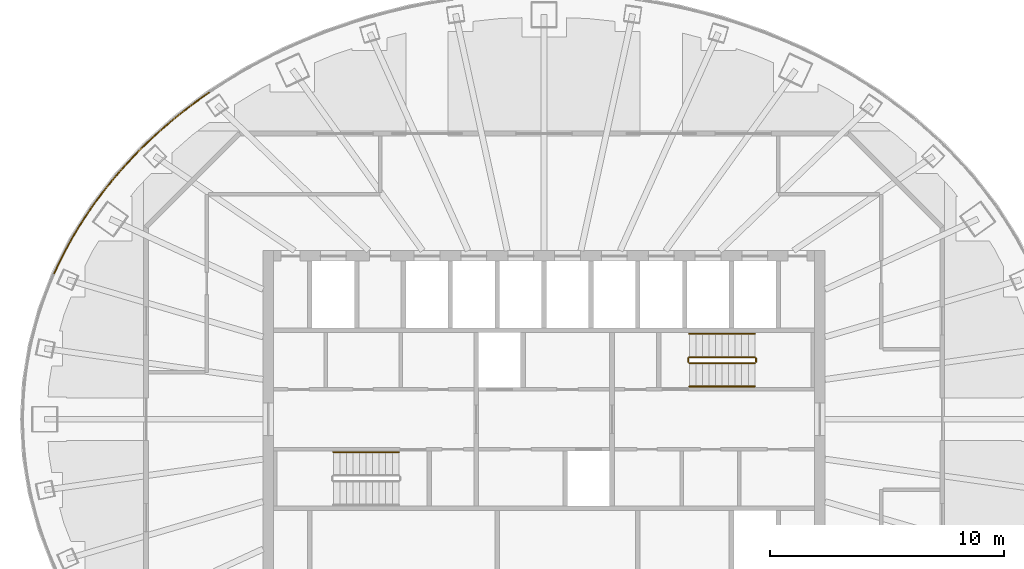
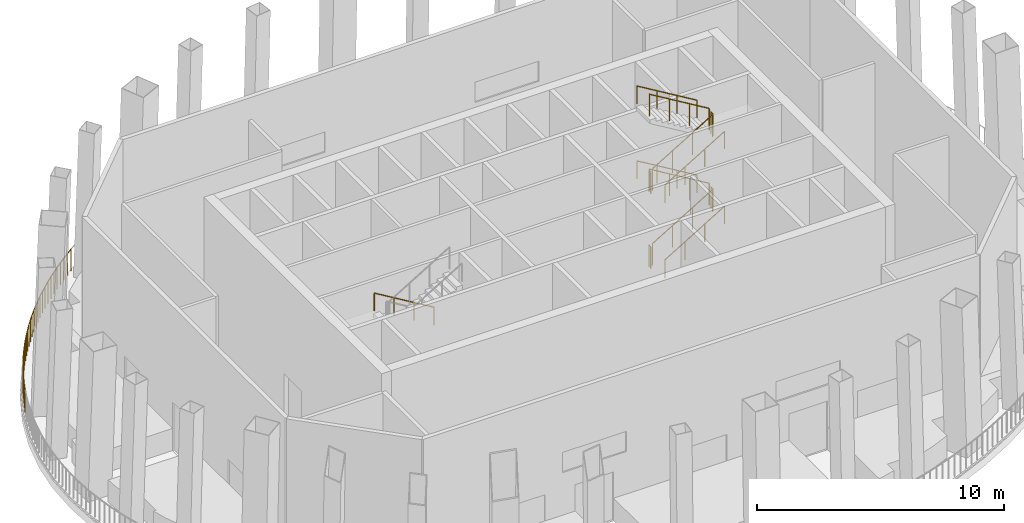
# One storey, part 9 of 12: 16 railings.
"""IFC4 building model written with IfcOpenShell, lengths in metres."""

import ifcopenshell
import ifcopenshell.guid

model = None  # the IFC model being written
_history = None  # IfcOwnerHistory: only IFC2X3 demands one
_inside = {}  # id of a spatial element -> (the spatial element, [elements in it])
_under = {}  # id of a project, library or spatial element -> (it, [spatial elements below it])
_declared = {}  # id of a project -> (the project, [libraries it declares])
_typed = {}  # id of a type object -> (the type object, [elements of that type])
_made_of = {}  # id of a material, layer set ... -> (it, [elements and type objects made of it])


def new_model(schema):
    """Start an empty IFC model of exactly this schema.

    Asked for "IFC4X3", IfcOpenShell would pick the latest addendum, in which some entities
    have other attributes; the version numbers below select the first issue.
    IFC2X3 requires an IfcOwnerHistory on every rooted entity: one is made here for all.
    """
    global model, _history
    if schema == "IFC4X3":
        model = ifcopenshell.file(schema_version=(4, 3, 0, 0))
    else:
        model = ifcopenshell.file(schema=schema)
    _inside.clear()
    _under.clear()
    _declared.clear()
    _typed.clear()
    _made_of.clear()
    _history = None
    if model.schema == "IFC2X3":
        org = make("IfcOrganization", Name="unknown")
        user = make(
            "IfcPersonAndOrganization",
            ThePerson=make("IfcPerson", FamilyName="unknown"),
            TheOrganization=org,
        )
        app = make(
            "IfcApplication",
            ApplicationDeveloper=org,
            Version="unknown",
            ApplicationFullName="unknown",
            ApplicationIdentifier="unknown",
        )
        _history = make(
            "IfcOwnerHistory",
            OwningUser=user,
            OwningApplication=app,
            ChangeAction="ADDED",
            CreationDate=0,
        )
    return model


def make(cls, **values):
    """One entity of the class cls with the attributes given. An attribute that is None is left unset."""
    return model.create_entity(
        cls, **{name: value for name, value in values.items() if value is not None}
    )


def rooted(cls, **values):
    """An entity with a GlobalId (a new one), such as an element, a storey or a relation."""
    return make(cls, GlobalId=ifcopenshell.guid.new(), OwnerHistory=_history, **values)


def si_unit(unit_type, name, prefix=None):
    """IfcSIUnit, for example si_unit("LENGTHUNIT", "METRE", prefix="MILLI")."""
    return make("IfcSIUnit", UnitType=unit_type, Prefix=prefix, Name=name)


def assignment(units):
    """IfcUnitAssignment: the units of a project."""
    return None if units is None else make("IfcUnitAssignment", Units=units)


def point(xyz):
    """IfcCartesianPoint."""
    return None if xyz is None else make("IfcCartesianPoint", Coordinates=xyz)


def direction(xyz):
    """IfcDirection."""
    return None if xyz is None else make("IfcDirection", DirectionRatios=xyz)


def frame(location, z_axis=None, x_axis=None):
    """IfcAxis2Placement3D, a coordinate frame: its origin and axes. An axis left out is left unset."""
    return make(
        "IfcAxis2Placement3D",
        Location=point(location),
        Axis=direction(z_axis),
        RefDirection=direction(x_axis),
    )


def frame_2d(location, x_axis=None):
    """IfcAxis2Placement2D, a coordinate frame in the plane: its origin and x axis."""
    return make(
        "IfcAxis2Placement2D", Location=point(location), RefDirection=direction(x_axis)
    )


def origin():
    """The frame at (0, 0, 0) with its axes left unset."""
    return frame((0.0, 0.0, 0.0))


def origin_2d():
    """The frame at (0, 0) in the plane with its x axis left unset."""
    return frame_2d((0.0, 0.0))


def place(relative_to, where):
    """IfcLocalPlacement: puts the frame where relative to a parent placement (None: the world)."""
    return make(
        "IfcLocalPlacement", PlacementRelTo=relative_to, RelativePlacement=where
    )


def context(
    kind, dimensions, precision=None, world=None, true_north=None, identifier=None
):
    """IfcGeometricRepresentationContext, for example the 3D "Model" context."""
    return make(
        "IfcGeometricRepresentationContext",
        ContextIdentifier=identifier,
        ContextType=kind,
        CoordinateSpaceDimension=dimensions,
        Precision=precision,
        WorldCoordinateSystem=world,
        TrueNorth=true_north,
    )


def subcontext(parent, identifier, kind, view, scale=None):
    """IfcGeometricRepresentationSubContext, for example "Body" below "Model"."""
    return make(
        "IfcGeometricRepresentationSubContext",
        ContextIdentifier=identifier,
        ContextType=kind,
        ParentContext=parent,
        TargetScale=scale,
        TargetView=view,
    )


def project(units=None, contexts=None):
    """IfcProject with its units and contexts."""
    return rooted(
        "IfcProject",
        Name="project",
        RepresentationContexts=contexts,
        UnitsInContext=assignment(units),
    )


def spatial(cls, under=None, at=None, **own):
    """A site, building, storey or space (cls), placed at a placement, below another one or the project."""
    s = rooted(cls, ObjectPlacement=at, **own)
    if under is not None:
        _under.setdefault(under.id(), (under, []))[1].append(s)
    return s


def profile(cls, at=None, kind="AREA", **sizes):
    """A parametric profile (cls). Its sizes go by their IFC names, for example OverallWidth=200.0."""
    return make(cls, ProfileType=kind, Position=at, **sizes)


def circle(**sizes):
    """IfcCircleProfileDef."""
    return profile("IfcCircleProfileDef", **sizes)


def extrude(swept, where, along, depth):
    """IfcExtrudedAreaSolid: the profile swept, set in the frame where, extruded along a direction by depth."""
    return make(
        "IfcExtrudedAreaSolid",
        SweptArea=swept,
        Position=where,
        ExtrudedDirection=direction(along),
        Depth=depth,
    )


def shape(context_of_items, identifier, shape_type, items):
    """IfcShapeRepresentation: the items that make up one representation, for example the "Body"."""
    return make(
        "IfcShapeRepresentation",
        ContextOfItems=context_of_items,
        RepresentationIdentifier=identifier,
        RepresentationType=shape_type,
        Items=items,
    )


def material(Name=None, Category=None):
    """IfcMaterial."""
    return make("IfcMaterial", Name=Name, Category=Category)


def made_of(thing, what):
    """Note that an element or type object is made of a material, layer set ...; save() writes the relation."""
    if what is not None:
        _made_of.setdefault(what.id(), (what, []))[1].append(thing)
    return thing


def type_object(cls, material=None, **own):
    """A type object (cls), such as IfcWallType, which elements share."""
    return made_of(rooted(cls, **own), material)


def element(
    cls,
    number,
    at=None,
    inside=None,
    cuts=None,
    type_object=None,
    material=None,
    context=None,
    identifier="Body",
    shape_type=None,
    held_by="IfcProductDefinitionShape",
    body=None,
    shapes=None,
    **own,
):
    """One element of the class cls, such as IfcWall. Its Tag is "e" and its number.

    at: its placement. inside: the storey or other place that contains it. cuts: it is an
    opening in that element (IfcRelVoidsElement). A single representation is given by context,
    identifier, shape_type and body (its items); several are given by shapes. held_by: the class
    of the entity that holds the representations. save() writes the other relations.
    """
    e = rooted(cls, Tag="e%d" % number, ObjectPlacement=at, **own)
    if body is not None:
        shapes = [shape(context, identifier, shape_type, body)]
    if shapes is not None:
        e.Representation = make(held_by, Representations=shapes)
    if inside is not None:
        _inside.setdefault(inside.id(), (inside, []))[1].append(e)
    if cuts is not None:
        rooted(
            "IfcRelVoidsElement", RelatingBuildingElement=cuts, RelatedOpeningElement=e
        )
    if type_object is not None:
        _typed.setdefault(type_object.id(), (type_object, []))[1].append(e)
    return made_of(e, material)


def aggregate(whole, parts):
    """IfcRelAggregates: a whole, such as a stair, and the parts it consists of."""
    return rooted("IfcRelAggregates", RelatingObject=whole, RelatedObjects=parts)


def save(model, path):
    """Write the relations noted so far, then the file.

    IfcRelAggregates (storeys below a building ...), IfcRelContainedInSpatialStructure (elements
    in a storey), IfcRelDefinesByType, IfcRelAssociatesMaterial and IfcRelDeclares: one each for
    every whole, place, type object, material and project.
    """
    for whole, parts in _under.values():
        aggregate(whole, parts)
    for where, things in _inside.values():
        rooted(
            "IfcRelContainedInSpatialStructure",
            RelatedElements=things,
            RelatingStructure=where,
        )
    for kind, things in _typed.values():
        rooted("IfcRelDefinesByType", RelatedObjects=things, RelatingType=kind)
    for what, things in _made_of.values():
        rooted("IfcRelAssociatesMaterial", RelatedObjects=things, RelatingMaterial=what)
    for by, libraries in _declared.values():
        rooted("IfcRelDeclares", RelatingContext=by, RelatedDefinitions=libraries)
    model.write(path)


model = new_model("IFC4")

# Units and contexts
model_context = context("Model", 3, precision=1e-05, world=origin(), true_north=direction((0.0, 1.0)))
body_context = subcontext(model_context, "Body", "Model", "MODEL_VIEW")
ifc_project = project(units=[si_unit("LENGTHUNIT", "METRE"), si_unit("AREAUNIT", "SQUARE_METRE"), si_unit("VOLUMEUNIT", "CUBIC_METRE"), si_unit("PLANEANGLEUNIT", "RADIAN"), si_unit("MASSUNIT", "GRAM", prefix="KILO")], contexts=[model_context])

# Site, building, storey
site_placement = place(None, origin())
site = spatial("IfcSite", under=ifc_project, at=site_placement, CompositionType="ELEMENT")
building_placement = place(site_placement, origin())
building = spatial("IfcBuilding", under=site, at=building_placement, Name="Siaravel Broadcast Tower", CompositionType="ELEMENT")
storey_placement = place(building_placement, frame((0.0, 0.0, 205.199951171875)))
storey = spatial("IfcBuildingStorey", under=building, at=storey_placement, Name="L50", CompositionType="ELEMENT", Elevation=205.199951171875)

# Railings
ifc_material_1 = material(Name="Steel S355", Category="steel")
railing_type_1 = type_object("IfcRailingType", Name="Guard 1100", PredefinedType="GUARDRAIL", material=ifc_material_1)
railing_1_placement = place(storey_placement, frame((-14.305908203125, 13.948486328125, 0.080078125)))
element("IfcRailing", 1, at=railing_1_placement, inside=storey, type_object=railing_type_1, Name="L50 sky garden guard 14", PredefinedType="GUARDRAIL", context=body_context, shape_type="SweptSolid", body=[
    extrude(circle(Radius=0.02392578125, at=origin_2d()), frame((0.0, 0.0, 1.076171875), z_axis=(-0.819868065, -0.572552492, 0.0), x_axis=(0.572552492, -0.819868065, 0.0)), (0.0, 0.0, 1.0), 0.3603515625),
    extrude(circle(Radius=0.02392578125, at=origin_2d()), frame((-0.29541015625, -0.206298828125, 1.076171875), z_axis=(-0.809763888, -0.586755865, 0.0), x_axis=(0.586755865, -0.809763888, 0.0)), (0.0, 0.0, 1.0), 0.359130859375),
    extrude(circle(Radius=0.02392578125, at=origin_2d()), frame((-0.586181640625, -0.4169921875, 1.076171875), z_axis=(-0.800490663, -0.599345224, 0.0), x_axis=(0.599345224, -0.800490663, 0.0)), (0.0, 0.0, 1.0), 0.358154296875),
    extrude(circle(Radius=0.02392578125, at=origin_2d()), frame((-0.872802734375, -0.631591796875, 1.076171875), z_axis=(-0.789867917, -0.613276996, 0.0), x_axis=(0.613276996, -0.789867917, 0.0)), (0.0, 0.0, 1.0), 0.356689453125),
    extrude(circle(Radius=0.02392578125, at=origin_2d()), frame((-1.154541015625, -0.850341796875, 1.076171875), z_axis=(-0.779257223, -0.626704221, 0.0), x_axis=(0.626704221, -0.779257223, 0.0)), (0.0, 0.0, 1.0), 0.355224609375),
    extrude(circle(Radius=0.02392578125, at=origin_2d()), frame((-1.431396484375, -1.072998046875, 1.076171875), z_axis=(-0.768559864, -0.63977788, 0.0), x_axis=(0.63977788, -0.768559864, 0.0)), (0.0, 0.0, 1.0), 0.3544921875),
    extrude(circle(Radius=0.02392578125, at=origin_2d()), frame((-1.703857421875, -1.2998046875, 1.076171875), z_axis=(-0.757398166, -0.652953305, 0.0), x_axis=(0.652953305, -0.757398166, 0.0)), (0.0, 0.0, 1.0), 0.35302734375),
    extrude(circle(Radius=0.02392578125, at=origin_2d()), frame((-1.97119140625, -1.5302734375, 1.076171875), z_axis=(-0.745876104, -0.666084707, 0.0), x_axis=(0.666084707, -0.745876104, 0.0)), (0.0, 0.0, 1.0), 0.351806640625),
    extrude(circle(Radius=0.02392578125, at=origin_2d()), frame((-2.233642578125, -1.7646484375, 1.076171875), z_axis=(-0.73408208, -0.679060748, 0.0), x_axis=(0.679060748, -0.73408208, 0.0)), (0.0, 0.0, 1.0), 0.3505859375),
    extrude(circle(Radius=0.02392578125, at=origin_2d()), frame((-2.490966796875, -2.002685546875, 1.076171875), z_axis=(-0.722657035, -0.691206778, 0.0), x_axis=(0.691206778, -0.722657035, 0.0)), (0.0, 0.0, 1.0), 0.349365234375),
    extrude(circle(Radius=0.02099609375, at=origin_2d()), origin(), (0.0, 0.0, 1.0), 1.052001953125),
    extrude(circle(Radius=0.02099609375, at=origin_2d()), frame((-0.29541015625, -0.206298828125, 0.0)), (0.0, 0.0, 1.0), 1.052001953125),
    extrude(circle(Radius=0.02099609375, at=origin_2d()), frame((-0.586181640625, -0.4169921875, 0.0)), (0.0, 0.0, 1.0), 1.052001953125),
    extrude(circle(Radius=0.02099609375, at=origin_2d()), frame((-0.872802734375, -0.631591796875, 0.0)), (0.0, 0.0, 1.0), 1.052001953125),
    extrude(circle(Radius=0.02099609375, at=origin_2d()), frame((-1.154541015625, -0.850341796875, 0.0)), (0.0, 0.0, 1.0), 1.052001953125),
    extrude(circle(Radius=0.02099609375, at=origin_2d()), frame((-1.431396484375, -1.072998046875, 0.0)), (0.0, 0.0, 1.0), 1.052001953125),
    extrude(circle(Radius=0.02099609375, at=origin_2d()), frame((-1.703857421875, -1.2998046875, 0.0)), (0.0, 0.0, 1.0), 1.052001953125),
    extrude(circle(Radius=0.02099609375, at=origin_2d()), frame((-1.97119140625, -1.5302734375, 0.0)), (0.0, 0.0, 1.0), 1.052001953125),
    extrude(circle(Radius=0.02099609375, at=origin_2d()), frame((-2.233642578125, -1.7646484375, 0.0)), (0.0, 0.0, 1.0), 1.052001953125),
    extrude(circle(Radius=0.02099609375, at=origin_2d()), frame((-2.490966796875, -2.002685546875, 0.0)), (0.0, 0.0, 1.0), 1.052001953125),
    extrude(circle(Radius=0.02099609375, at=origin_2d()), frame((-2.743408203125, -2.244140625, 0.0)), (0.0, 0.0, 1.0), 1.052001953125),
])
railing_2_placement = place(storey_placement, frame((-17.04931640625, 11.704345703125, 0.080078125)))
element("IfcRailing", 2, at=railing_2_placement, inside=storey, type_object=railing_type_1, Name="L50 sky garden guard 15", PredefinedType="GUARDRAIL", context=body_context, shape_type="SweptSolid", body=[
    extrude(circle(Radius=0.02392578125, at=origin_2d()), frame((0.0, 0.0, 1.076171875), z_axis=(-0.709208125, -0.704999174, 0.0), x_axis=(0.704999174, -0.709208125, 0.0)), (0.0, 0.0, 1.0), 0.34814453125),
    extrude(circle(Radius=0.02392578125, at=origin_2d()), frame((-0.246826171875, -0.245361328125, 1.076171875), z_axis=(-0.697188894, -0.716887471, 0.0), x_axis=(0.716887471, -0.697188894, 0.0)), (0.0, 0.0, 1.0), 0.346923828125),
    extrude(circle(Radius=0.02392578125, at=origin_2d()), frame((-0.48876953125, -0.494140625, 1.076171875), z_axis=(-0.68412918, -0.729360861, 0.0), x_axis=(0.729360861, -0.68412918, 0.0)), (0.0, 0.0, 1.0), 0.345458984375),
    extrude(circle(Radius=0.02392578125, at=origin_2d()), frame((-0.72509765625, -0.74609375, 1.076171875), z_axis=(-0.67080203, -0.741636458, 0.0), x_axis=(0.741636458, -0.67080203, 0.0)), (0.0, 0.0, 1.0), 0.3447265625),
    extrude(circle(Radius=0.02392578125, at=origin_2d()), frame((-0.956298828125, -1.001708984375, 1.076171875), z_axis=(-0.65744612, -0.753501559, 0.0), x_axis=(0.753501559, -0.65744612, 0.0)), (0.0, 0.0, 1.0), 0.343017578125),
    extrude(circle(Radius=0.02392578125, at=origin_2d()), frame((-1.181884765625, -1.26025390625, 1.076171875), z_axis=(-0.643058171, -0.765817334, 0.0), x_axis=(0.765817334, -0.643058171, 0.0)), (0.0, 0.0, 1.0), 0.342041015625),
    extrude(circle(Radius=0.02392578125, at=origin_2d()), frame((-1.40185546875, -1.522216796875, 1.076171875), z_axis=(-0.628703723, -0.777644924, 0.0), x_axis=(0.777644924, -0.628703723, 0.0)), (0.0, 0.0, 1.0), 0.341064453125),
    extrude(circle(Radius=0.02392578125, at=origin_2d()), frame((-1.6162109375, -1.787353515625, 1.076171875), z_axis=(-0.614736721, -0.788732378, 0.0), x_axis=(0.788732378, -0.614736721, 0.0)), (0.0, 0.0, 1.0), 0.339599609375),
    extrude(circle(Radius=0.02392578125, at=origin_2d()), frame((-1.824951171875, -2.05517578125, 1.076171875), z_axis=(-0.599307435, -0.800518956, 0.0), x_axis=(0.800518956, -0.599307435, 0.0)), (0.0, 0.0, 1.0), 0.338623046875),
    extrude(circle(Radius=0.02392578125, at=origin_2d()), frame((-2.02783203125, -2.326171875, 1.076171875), z_axis=(-0.584380934, -0.811479466, 0.0), x_axis=(0.811479466, -0.584380934, 0.0)), (0.0, 0.0, 1.0), 0.337646484375),
    extrude(circle(Radius=0.02099609375, at=origin_2d()), origin(), (0.0, 0.0, 1.0), 1.052001953125),
    extrude(circle(Radius=0.02099609375, at=origin_2d()), frame((-0.246826171875, -0.245361328125, 0.0)), (0.0, 0.0, 1.0), 1.052001953125),
    extrude(circle(Radius=0.02099609375, at=origin_2d()), frame((-0.48876953125, -0.494140625, 0.0)), (0.0, 0.0, 1.0), 1.052001953125),
    extrude(circle(Radius=0.02099609375, at=origin_2d()), frame((-0.72509765625, -0.74609375, 0.0)), (0.0, 0.0, 1.0), 1.052001953125),
    extrude(circle(Radius=0.02099609375, at=origin_2d()), frame((-0.956298828125, -1.001708984375, 0.0)), (0.0, 0.0, 1.0), 1.052001953125),
    extrude(circle(Radius=0.02099609375, at=origin_2d()), frame((-1.181884765625, -1.26025390625, 0.0)), (0.0, 0.0, 1.0), 1.052001953125),
    extrude(circle(Radius=0.02099609375, at=origin_2d()), frame((-1.40185546875, -1.522216796875, 0.0)), (0.0, 0.0, 1.0), 1.052001953125),
    extrude(circle(Radius=0.02099609375, at=origin_2d()), frame((-1.6162109375, -1.787353515625, 0.0)), (0.0, 0.0, 1.0), 1.052001953125),
    extrude(circle(Radius=0.02099609375, at=origin_2d()), frame((-1.824951171875, -2.05517578125, 0.0)), (0.0, 0.0, 1.0), 1.052001953125),
    extrude(circle(Radius=0.02099609375, at=origin_2d()), frame((-2.02783203125, -2.326171875, 0.0)), (0.0, 0.0, 1.0), 1.052001953125),
    extrude(circle(Radius=0.02099609375, at=origin_2d()), frame((-2.22509765625, -2.60009765625, 0.0)), (0.0, 0.0, 1.0), 1.052001953125),
])
railing_3_placement = place(storey_placement, frame((-19.2744140625, 9.104248046875, 0.080078125)))
element("IfcRailing", 3, at=railing_3_placement, inside=storey, type_object=railing_type_1, Name="L50 sky garden guard 16", PredefinedType="GUARDRAIL", context=body_context, shape_type="SweptSolid", body=[
    extrude(circle(Radius=0.02392578125, at=origin_2d()), frame((0.0, 0.0, 1.076171875), z_axis=(-0.568530162, -0.822662418, 0.0), x_axis=(0.822662418, -0.568530162, 0.0)), (0.0, 0.0, 1.0), 0.336181640625),
    extrude(circle(Radius=0.02392578125, at=origin_2d()), frame((-0.191162109375, -0.276611328125, 1.076171875), z_axis=(-0.552849831, -0.833280904, 0.0), x_axis=(0.833280904, -0.552849831, 0.0)), (0.0, 0.0, 1.0), 0.335205078125),
    extrude(circle(Radius=0.02392578125, at=origin_2d()), frame((-0.37646484375, -0.555908203125, 1.076171875), z_axis=(-0.537206502, -0.843450754, 0.0), x_axis=(0.843450754, -0.537206502, 0.0)), (0.0, 0.0, 1.0), 0.333984375),
    extrude(circle(Radius=0.02392578125, at=origin_2d()), frame((-0.555908203125, -0.837646484375, 1.076171875), z_axis=(-0.52041193, -0.853915349, 0.0), x_axis=(0.853915349, -0.52041193, 0.0)), (0.0, 0.0, 1.0), 0.3330078125),
    extrude(circle(Radius=0.02392578125, at=origin_2d()), frame((-0.729248046875, -1.1220703125, 1.076171875), z_axis=(-0.503642434, -0.863912205, 0.0), x_axis=(0.863912205, -0.503642434, 0.0)), (0.0, 0.0, 1.0), 0.33203125),
    extrude(circle(Radius=0.02392578125, at=origin_2d()), frame((-0.896484375, -1.408935546875, 1.076171875), z_axis=(-0.486581595, -0.873635136, 0.0), x_axis=(0.873635136, -0.486581595, 0.0)), (0.0, 0.0, 1.0), 0.3310546875),
    extrude(circle(Radius=0.02392578125, at=origin_2d()), frame((-1.0576171875, -1.6982421875, 1.076171875), z_axis=(-0.469281499, -0.883048625, 0.0), x_axis=(0.883048625, -0.469281499, 0.0)), (0.0, 0.0, 1.0), 0.329833984375),
    extrude(circle(Radius=0.02392578125, at=origin_2d()), frame((-1.21240234375, -1.989501953125, 1.076171875), z_axis=(-0.451657892, -0.892191206, 0.0), x_axis=(0.892191206, -0.451657892, 0.0)), (0.0, 0.0, 1.0), 0.3291015625),
    extrude(circle(Radius=0.02392578125, at=origin_2d()), frame((-1.361083984375, -2.283203125, 1.076171875), z_axis=(-0.433770877, -0.901023211, 0.0), x_axis=(0.901023211, -0.433770877, 0.0)), (0.0, 0.0, 1.0), 0.328125),
    extrude(circle(Radius=0.02392578125, at=origin_2d()), frame((-1.50341796875, -2.578857421875, 1.076171875), z_axis=(-0.415601054, -0.90954701, 0.0), x_axis=(0.90954701, -0.415601054, 0.0)), (0.0, 0.0, 1.0), 0.3271484375),
    extrude(circle(Radius=0.02099609375, at=origin_2d()), origin(), (0.0, 0.0, 1.0), 1.052001953125),
    extrude(circle(Radius=0.02099609375, at=origin_2d()), frame((-0.191162109375, -0.276611328125, 0.0)), (0.0, 0.0, 1.0), 1.052001953125),
    extrude(circle(Radius=0.02099609375, at=origin_2d()), frame((-0.37646484375, -0.555908203125, 0.0)), (0.0, 0.0, 1.0), 1.052001953125),
    extrude(circle(Radius=0.02099609375, at=origin_2d()), frame((-0.555908203125, -0.837646484375, 0.0)), (0.0, 0.0, 1.0), 1.052001953125),
    extrude(circle(Radius=0.02099609375, at=origin_2d()), frame((-0.729248046875, -1.1220703125, 0.0)), (0.0, 0.0, 1.0), 1.052001953125),
    extrude(circle(Radius=0.02099609375, at=origin_2d()), frame((-0.896484375, -1.408935546875, 0.0)), (0.0, 0.0, 1.0), 1.052001953125),
    extrude(circle(Radius=0.02099609375, at=origin_2d()), frame((-1.0576171875, -1.6982421875, 0.0)), (0.0, 0.0, 1.0), 1.052001953125),
    extrude(circle(Radius=0.02099609375, at=origin_2d()), frame((-1.21240234375, -1.989501953125, 0.0)), (0.0, 0.0, 1.0), 1.052001953125),
    extrude(circle(Radius=0.02099609375, at=origin_2d()), frame((-1.361083984375, -2.283203125, 0.0)), (0.0, 0.0, 1.0), 1.052001953125),
    extrude(circle(Radius=0.02099609375, at=origin_2d()), frame((-1.50341796875, -2.578857421875, 0.0)), (0.0, 0.0, 1.0), 1.052001953125),
    extrude(circle(Radius=0.02099609375, at=origin_2d()), frame((-1.639404296875, -2.87646484375, 0.0)), (0.0, 0.0, 1.0), 1.052001953125),
])
ifc_material_2 = material(Name="Stainless steel 316L", Category="steel")
railing_type_2 = type_object("IfcRailingType", Name="Stair guard 1100", PredefinedType="GUARDRAIL", material=ifc_material_2)
railing_4_placement = place(storey_placement, frame((6.199951171875, 2.39990234375, 0.168212890625)))
element("IfcRailing", 4, at=railing_4_placement, inside=storey, type_object=railing_type_2, Name="L50 ST-2 stair guard 1", PredefinedType="GUARDRAIL", context=body_context, shape_type="SweptSolid", body=[
    extrude(circle(Radius=0.02392578125, at=origin_2d()), frame((0.0, 0.0, 1.076171875), z_axis=(0.857242211, 0.0, 0.514913383), x_axis=(0.0, 1.0, 0.0)), (0.0, 0.0, 1.0), 3.266357421875),
    extrude(circle(Radius=0.02099609375, at=origin_2d()), origin(), (0.0, 0.0, 1.0), 1.052001953125),
    extrude(circle(Radius=0.02099609375, at=origin_2d()), frame((0.933349609375, 0.0, 0.560546875)), (0.0, 0.0, 1.0), 1.052001953125),
    extrude(circle(Radius=0.02099609375, at=origin_2d()), frame((1.86669921875, 0.0, 1.121337890625)), (0.0, 0.0, 1.0), 1.052001953125),
    extrude(circle(Radius=0.02099609375, at=origin_2d()), frame((2.800048828125, 0.0, 1.681884765625)), (0.0, 0.0, 1.0), 1.052001953125),
])
railing_5_placement = place(storey_placement, frame((9.050048828125, 2.449951171875, 1.85009765625)))
element("IfcRailing", 5, at=railing_5_placement, inside=storey, type_object=railing_type_2, Name="L50 ST-2 stair guard 2", PredefinedType="GUARDRAIL", context=body_context, shape_type="SweptSolid", body=[
    extrude(circle(Radius=0.02392578125, at=origin_2d()), frame((0.0, 0.0, 1.076171875), z_axis=(0.0, 1.0, 0.0), x_axis=(-1.0, 0.0, 0.0)), (0.0, 0.0, 1.0), 0.150146484375),
    extrude(circle(Radius=0.02099609375, at=origin_2d()), origin(), (0.0, 0.0, 1.0), 1.052001953125),
    extrude(circle(Radius=0.02099609375, at=origin_2d()), frame((0.0, 0.150146484375, 0.0)), (0.0, 0.0, 1.0), 1.052001953125),
])
railing_6_placement = place(storey_placement, frame((9.0, 2.64990234375, 2.018310546875)))
element("IfcRailing", 6, at=railing_6_placement, inside=storey, type_object=railing_type_2, Name="L50 ST-2 stair guard 3", PredefinedType="GUARDRAIL", context=body_context, shape_type="SweptSolid", body=[
    extrude(circle(Radius=0.02392578125, at=origin_2d()), frame((0.0, 0.0, 1.076171875), z_axis=(-0.857275203, 0.0, 0.514858453), x_axis=(0.0, -1.0, 0.0)), (0.0, 0.0, 1.0), 3.26611328125),
    extrude(circle(Radius=0.02099609375, at=origin_2d()), origin(), (0.0, 0.0, 1.0), 1.052001953125),
    extrude(circle(Radius=0.02099609375, at=origin_2d()), frame((-0.933349609375, 0.0, 0.560546875)), (0.0, 0.0, 1.0), 1.052001953125),
    extrude(circle(Radius=0.02099609375, at=origin_2d()), frame((-1.86669921875, 0.0, 1.12109375)), (0.0, 0.0, 1.0), 1.052001953125),
    extrude(circle(Radius=0.02099609375, at=origin_2d()), frame((-2.800048828125, 0.0, 1.681640625)), (0.0, 0.0, 1.0), 1.052001953125),
])
railing_7_placement = place(storey_placement, frame((6.14990234375, 2.449951171875, 3.699951171875)))
element("IfcRailing", 7, at=railing_7_placement, inside=storey, type_object=railing_type_2, Name="L50 ST-2 stair guard 4", PredefinedType="GUARDRAIL", context=body_context, shape_type="SweptSolid", body=[
    extrude(circle(Radius=0.02392578125, at=origin_2d()), frame((0.0, 0.0, 1.076171875), z_axis=(0.0, 1.0, 0.0), x_axis=(-1.0, 0.0, 0.0)), (0.0, 0.0, 1.0), 0.150146484375),
    extrude(circle(Radius=0.02099609375, at=origin_2d()), origin(), (0.0, 0.0, 1.0), 1.052001953125),
    extrude(circle(Radius=0.02099609375, at=origin_2d()), frame((0.0, 0.150146484375, 0.0)), (0.0, 0.0, 1.0), 1.052001953125),
])
railing_8_placement = place(storey_placement, frame((6.199951171875, 2.39990234375, 3.8681640625)))
element("IfcRailing", 8, at=railing_8_placement, inside=storey, type_object=railing_type_2, Name="L50 ST-2 stair guard 5", PredefinedType="GUARDRAIL", context=body_context, shape_type="SweptSolid", body=[
    extrude(circle(Radius=0.02392578125, at=origin_2d()), frame((0.0, 0.0, 1.076171875), z_axis=(0.857242211, 0.0, 0.514913383), x_axis=(0.0, 1.0, 0.0)), (0.0, 0.0, 1.0), 3.266357421875),
    extrude(circle(Radius=0.02099609375, at=origin_2d()), origin(), (0.0, 0.0, 1.0), 1.052001953125),
    extrude(circle(Radius=0.02099609375, at=origin_2d()), frame((0.933349609375, 0.0, 0.560546875)), (0.0, 0.0, 1.0), 1.052001953125),
    extrude(circle(Radius=0.02099609375, at=origin_2d()), frame((1.86669921875, 0.0, 1.121337890625)), (0.0, 0.0, 1.0), 1.052001953125),
    extrude(circle(Radius=0.02099609375, at=origin_2d()), frame((2.800048828125, 0.0, 1.681884765625)), (0.0, 0.0, 1.0), 1.052001953125),
])
railing_9_placement = place(storey_placement, frame((9.050048828125, 2.449951171875, 5.550048828125)))
element("IfcRailing", 9, at=railing_9_placement, inside=storey, type_object=railing_type_2, Name="L50 ST-2 stair guard 6", PredefinedType="GUARDRAIL", context=body_context, shape_type="SweptSolid", body=[
    extrude(circle(Radius=0.02392578125, at=origin_2d()), frame((0.0, 0.0, 1.076171875), z_axis=(0.0, 1.0, 0.0), x_axis=(-1.0, 0.0, 0.0)), (0.0, 0.0, 1.0), 0.150146484375),
    extrude(circle(Radius=0.02099609375, at=origin_2d()), origin(), (0.0, 0.0, 1.0), 1.052001953125),
    extrude(circle(Radius=0.02099609375, at=origin_2d()), frame((0.0, 0.150146484375, 0.0)), (0.0, 0.0, 1.0), 1.052001953125),
])
railing_10_placement = place(storey_placement, frame((9.0, 2.64990234375, 5.71826171875)))
element("IfcRailing", 10, at=railing_10_placement, inside=storey, type_object=railing_type_2, Name="L50 ST-2 stair guard 7", PredefinedType="GUARDRAIL", context=body_context, shape_type="SweptSolid", body=[
    extrude(circle(Radius=0.02392578125, at=origin_2d()), frame((0.0, 0.0, 1.076171875), z_axis=(-0.857242211, 0.0, 0.514913383), x_axis=(0.0, -1.0, 0.0)), (0.0, 0.0, 1.0), 3.266357421875),
    extrude(circle(Radius=0.02099609375, at=origin_2d()), origin(), (0.0, 0.0, 1.0), 1.052001953125),
    extrude(circle(Radius=0.02099609375, at=origin_2d()), frame((-0.933349609375, 0.0, 0.560546875)), (0.0, 0.0, 1.0), 1.052001953125),
    extrude(circle(Radius=0.02099609375, at=origin_2d()), frame((-1.86669921875, 0.0, 1.121337890625)), (0.0, 0.0, 1.0), 1.052001953125),
    extrude(circle(Radius=0.02099609375, at=origin_2d()), frame((-2.800048828125, 0.0, 1.681884765625)), (0.0, 0.0, 1.0), 1.052001953125),
])
railing_11_placement = place(storey_placement, frame((6.14990234375, 2.449951171875, 0.0)))
element("IfcRailing", 11, at=railing_11_placement, inside=storey, type_object=railing_type_2, Name="L50 ST-2 stair guard 8", PredefinedType="GUARDRAIL", context=body_context, shape_type="SweptSolid", body=[
    extrude(circle(Radius=0.02392578125, at=origin_2d()), frame((0.0, 0.0, 1.076171875), z_axis=(0.0, 1.0, 0.0), x_axis=(-1.0, 0.0, 0.0)), (0.0, 0.0, 1.0), 0.150146484375),
    extrude(circle(Radius=0.02099609375, at=origin_2d()), origin(), (0.0, 0.0, 1.0), 1.052001953125),
    extrude(circle(Radius=0.02099609375, at=origin_2d()), frame((0.0, 0.150146484375, 0.0)), (0.0, 0.0, 1.0), 1.052001953125),
])
railing_type_3 = type_object("IfcRailingType", Name="Stair handrail 900", PredefinedType="HANDRAIL", material=ifc_material_2)
railing_12_placement = place(storey_placement, frame((-6.199951171875, -1.39990234375, 3.8681640625)))
element("IfcRailing", 12, at=railing_12_placement, inside=storey, type_object=railing_type_3, Name="L50 ST-1 stair handrail 3", PredefinedType="HANDRAIL", context=body_context, shape_type="SweptSolid", body=[
    extrude(circle(Radius=0.02392578125, at=origin_2d()), frame((0.0, 0.0, 0.8759765625), z_axis=(-0.857242211, 0.0, 0.514913383), x_axis=(0.0, -1.0, 0.0)), (0.0, 0.0, 1.0), 3.266357421875),
    extrude(circle(Radius=0.02099609375, at=origin_2d()), origin(), (0.0, 0.0, 1.0), 0.851806640625),
    extrude(circle(Radius=0.02099609375, at=origin_2d()), frame((-0.933349609375, 0.0, 0.560546875)), (0.0, 0.0, 1.0), 0.851806640625),
    extrude(circle(Radius=0.02099609375, at=origin_2d()), frame((-1.86669921875, 0.0, 1.121337890625)), (0.0, 0.0, 1.0), 0.851806640625),
    extrude(circle(Radius=0.02099609375, at=origin_2d()), frame((-2.800048828125, 0.0, 1.681884765625)), (0.0, 0.0, 1.0), 0.851806640625),
])
railing_13_placement = place(storey_placement, frame((6.199951171875, 1.39990234375, 0.168212890625)))
element("IfcRailing", 13, at=railing_13_placement, inside=storey, type_object=railing_type_3, Name="L50 ST-2 stair handrail 1", PredefinedType="HANDRAIL", context=body_context, shape_type="SweptSolid", body=[
    extrude(circle(Radius=0.02392578125, at=origin_2d()), frame((0.0, 0.0, 0.8759765625), z_axis=(0.857242211, 0.0, 0.514913383), x_axis=(0.0, 1.0, 0.0)), (0.0, 0.0, 1.0), 3.266357421875),
    extrude(circle(Radius=0.02099609375, at=origin_2d()), origin(), (0.0, 0.0, 1.0), 0.851806640625),
    extrude(circle(Radius=0.02099609375, at=origin_2d()), frame((0.933349609375, 0.0, 0.560546875)), (0.0, 0.0, 1.0), 0.851806640625),
    extrude(circle(Radius=0.02099609375, at=origin_2d()), frame((1.86669921875, 0.0, 1.121337890625)), (0.0, 0.0, 1.0), 0.851806640625),
    extrude(circle(Radius=0.02099609375, at=origin_2d()), frame((2.800048828125, 0.0, 1.681884765625)), (0.0, 0.0, 1.0), 0.851806640625),
])
railing_14_placement = place(storey_placement, frame((9.0, 3.64990234375, 2.018310546875)))
element("IfcRailing", 14, at=railing_14_placement, inside=storey, type_object=railing_type_3, Name="L50 ST-2 stair handrail 2", PredefinedType="HANDRAIL", context=body_context, shape_type="SweptSolid", body=[
    extrude(circle(Radius=0.02392578125, at=origin_2d()), frame((0.0, 0.0, 0.8759765625), z_axis=(-0.857275203, 0.0, 0.514858453), x_axis=(0.0, -1.0, 0.0)), (0.0, 0.0, 1.0), 3.26611328125),
    extrude(circle(Radius=0.02099609375, at=origin_2d()), origin(), (0.0, 0.0, 1.0), 0.851806640625),
    extrude(circle(Radius=0.02099609375, at=origin_2d()), frame((-0.933349609375, 0.0, 0.560546875)), (0.0, 0.0, 1.0), 0.851806640625),
    extrude(circle(Radius=0.02099609375, at=origin_2d()), frame((-1.86669921875, 0.0, 1.12109375)), (0.0, 0.0, 1.0), 0.851806640625),
    extrude(circle(Radius=0.02099609375, at=origin_2d()), frame((-2.800048828125, 0.0, 1.681640625)), (0.0, 0.0, 1.0), 0.851806640625),
])
railing_15_placement = place(storey_placement, frame((6.199951171875, 1.39990234375, 3.8681640625)))
element("IfcRailing", 15, at=railing_15_placement, inside=storey, type_object=railing_type_3, Name="L50 ST-2 stair handrail 3", PredefinedType="HANDRAIL", context=body_context, shape_type="SweptSolid", body=[
    extrude(circle(Radius=0.02392578125, at=origin_2d()), frame((0.0, 0.0, 0.8759765625), z_axis=(0.857242211, 0.0, 0.514913383), x_axis=(0.0, 1.0, 0.0)), (0.0, 0.0, 1.0), 3.266357421875),
    extrude(circle(Radius=0.02099609375, at=origin_2d()), origin(), (0.0, 0.0, 1.0), 0.851806640625),
    extrude(circle(Radius=0.02099609375, at=origin_2d()), frame((0.933349609375, 0.0, 0.560546875)), (0.0, 0.0, 1.0), 0.851806640625),
    extrude(circle(Radius=0.02099609375, at=origin_2d()), frame((1.86669921875, 0.0, 1.121337890625)), (0.0, 0.0, 1.0), 0.851806640625),
    extrude(circle(Radius=0.02099609375, at=origin_2d()), frame((2.800048828125, 0.0, 1.681884765625)), (0.0, 0.0, 1.0), 0.851806640625),
])
railing_16_placement = place(storey_placement, frame((9.0, 3.64990234375, 5.71826171875)))
element("IfcRailing", 16, at=railing_16_placement, inside=storey, type_object=railing_type_3, Name="L50 ST-2 stair handrail 4", PredefinedType="HANDRAIL", context=body_context, shape_type="SweptSolid", body=[
    extrude(circle(Radius=0.02392578125, at=origin_2d()), frame((0.0, 0.0, 0.8759765625), z_axis=(-0.857242211, 0.0, 0.514913383), x_axis=(0.0, -1.0, 0.0)), (0.0, 0.0, 1.0), 3.266357421875),
    extrude(circle(Radius=0.02099609375, at=origin_2d()), origin(), (0.0, 0.0, 1.0), 0.851806640625),
    extrude(circle(Radius=0.02099609375, at=origin_2d()), frame((-0.933349609375, 0.0, 0.560546875)), (0.0, 0.0, 1.0), 0.851806640625),
    extrude(circle(Radius=0.02099609375, at=origin_2d()), frame((-1.86669921875, 0.0, 1.121337890625)), (0.0, 0.0, 1.0), 0.851806640625),
    extrude(circle(Radius=0.02099609375, at=origin_2d()), frame((-2.800048828125, 0.0, 1.681884765625)), (0.0, 0.0, 1.0), 0.851806640625),
])

save(model, "model.ifc")
